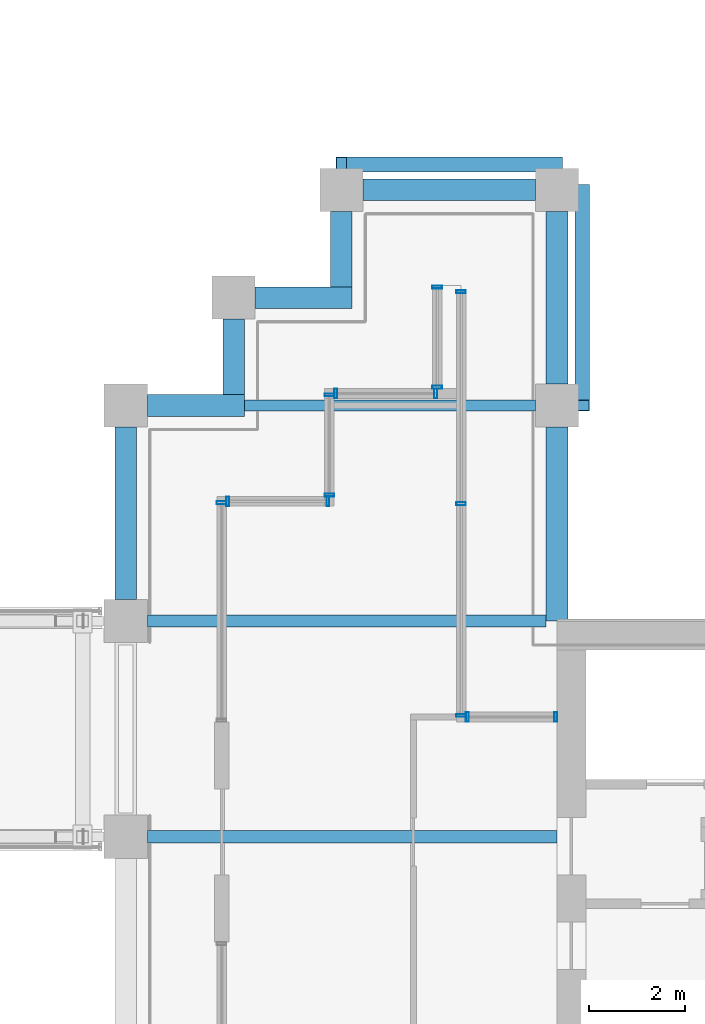
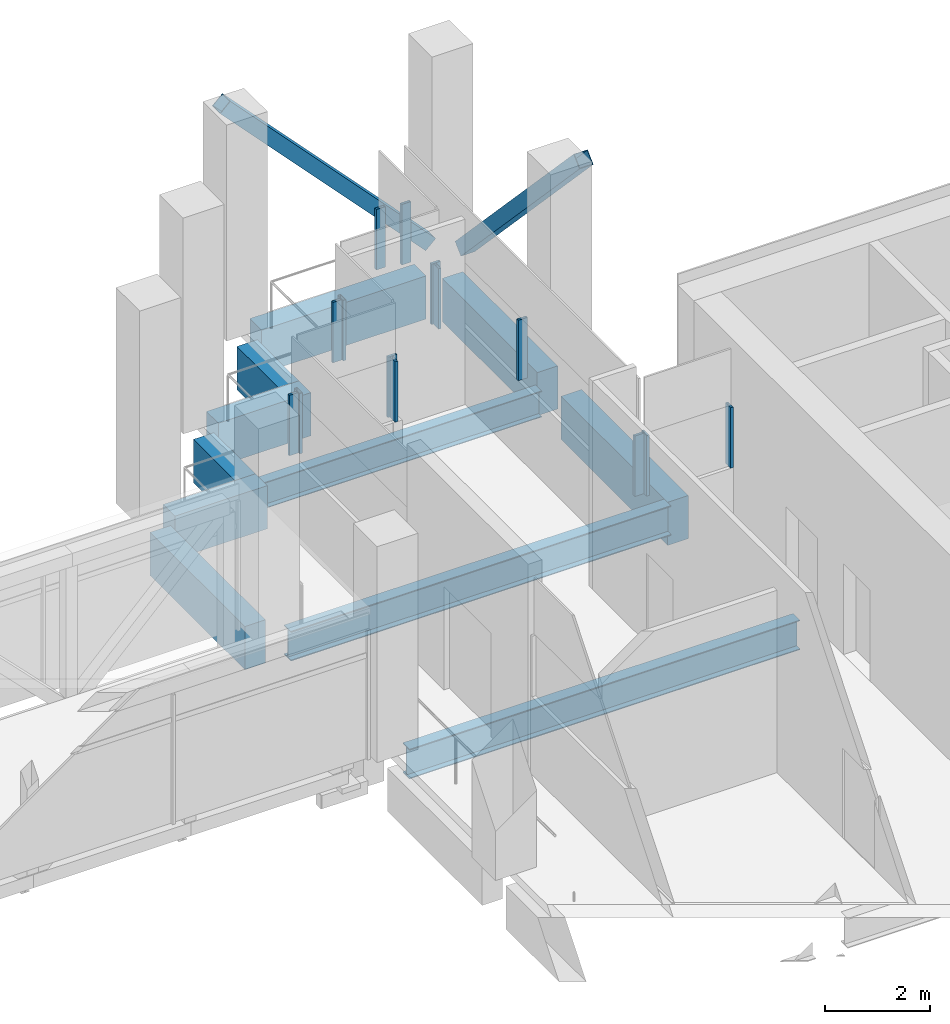
# One storey, part 25 of 34: 16 members, 11 beams, 7 elements without a shape of their own.
"""IFC4 building model written with IfcOpenShell, lengths in metres."""

from ifc_helpers import new_model, si_unit, direction, frame, origin, origin_2d, place, context, subcontext, project, spatial, rectangle, hollow_rectangle, i_section, extrude, material, material_profile, profile_set, type_object, element, aggregate, save


model = new_model("IFC4")

# Units and contexts
model_context = context("Model", 3, precision=1e-05, world=origin(), true_north=direction((0.0, 1.0)))
body_context = subcontext(model_context, "Body", "Model", "MODEL_VIEW")
ifc_project = project(units=[si_unit("LENGTHUNIT", "METRE"), si_unit("AREAUNIT", "SQUARE_METRE"), si_unit("VOLUMEUNIT", "CUBIC_METRE"), si_unit("PLANEANGLEUNIT", "RADIAN"), si_unit("MASSUNIT", "GRAM", prefix="KILO")], contexts=[model_context])

# Site, building, storey
site_placement = place(None, origin())
site = spatial("IfcSite", under=ifc_project, at=site_placement, CompositionType="ELEMENT")
building_placement = place(site_placement, origin())
building = spatial("IfcBuilding", under=site, at=building_placement, Name="Altepetl Exchange Towers", CompositionType="ELEMENT")
storey_placement = place(building_placement, frame((0.0, 0.0, 190.60009765625)))
storey = spatial("IfcBuildingStorey", under=building, at=storey_placement, Name="L48 Refuge", CompositionType="ELEMENT", Elevation=190.60009765625)

# Members
ifc_material_1 = material(Name="Steel S355", Category="steel")
ifc_material_profile_1 = material_profile(ifc_material_1, hollow_rectangle(XDim=0.304931640625, YDim=0.304931640625, WallThickness=0.01171875, at=origin_2d()), Name="HSS305X305X12.7")
ifc_profile_set_1 = profile_set([ifc_material_profile_1], Name="Steel S355")
member_type_1 = type_object("IfcMemberType", Name="Belt diagonal HSS305X305X12.7", PredefinedType="BRACE", material=ifc_profile_set_1)
for number, where, z_axis, x_axis, name in (
    (1, (104.030029296875, 54.0, 4.75), (0.0, 0.687744647911, -0.725952683906), (-1.0, 0.0, 0.0), "brc:B:L48:003"),
    (2, (103.5, 59.030029296875, 0.0), (-0.687744647911, 0.0, 0.725952683906), (0.0, -1.0, 0.0), "brc:B:L48:004"),
):
    element("IfcMember", number, at=place(storey_placement, frame(where, z_axis=z_axis, x_axis=x_axis)), inside=storey, type_object=member_type_1, Name=name, PredefinedType="BRACE", context=body_context, shape_type="SweptSolid", body=[
        extrude(hollow_rectangle(XDim=0.304931640625, YDim=0.304931640625, WallThickness=0.01171875, at=origin_2d()), origin(), (0.0, 0.0, 1.0), 6.543212890625),
    ])

# Beams
ifc_material_profile_2 = material_profile(ifc_material_1, i_section(OverallWidth=0.22802734375, OverallDepth=0.60791015625, WebThickness=0.01123046875, FlangeThickness=0.017333984375, at=origin_2d()), Name="W24X76")
ifc_profile_set_2 = profile_set([ifc_material_profile_2], Name="Steel S355")
beam_type_1 = type_object("IfcBeamType", Name="Floor beam W24X76", PredefinedType="BEAM", material=ifc_profile_set_2)
beam_1_placement = place(storey_placement, frame((96.97509765625, 54.0, -0.504150390625), z_axis=(1.0, 0.0, 0.0), x_axis=(0.0, 1.0, 0.0)))
element("IfcBeam", 3, at=beam_1_placement, inside=storey, type_object=beam_type_1, Name="bm:B:L48:007", PredefinedType="BEAM", context=body_context, shape_type="SweptSolid", body=[
    extrude(i_section(OverallWidth=0.22802734375, OverallDepth=0.60791015625, WebThickness=0.01123046875, FlangeThickness=0.017333984375, at=origin_2d()), origin(), (0.0, 0.0, 1.0), 6.074951171875),
])
ifc_material_profile_3 = material_profile(ifc_material_1, i_section(OverallWidth=0.25390625, OverallDepth=0.68798828125, WebThickness=0.01318359375, FlangeThickness=0.02099609375, at=origin_2d()), Name="W27X102")
ifc_profile_set_3 = profile_set([ifc_material_profile_3], Name="Steel S355")
beam_type_2 = type_object("IfcBeamType", Name="Floor beam W27X102", PredefinedType="BEAM", material=ifc_profile_set_3)
beam_2_placement = place(storey_placement, frame((94.949951171875, 45.0, -0.544189453125), z_axis=(1.0, 0.0, 0.0), x_axis=(0.0, 1.0, 0.0)))
element("IfcBeam", 4, at=beam_2_placement, inside=storey, type_object=beam_type_2, Name="bm:B:L48:005", PredefinedType="BEAM", context=body_context, shape_type="SweptSolid", body=[
    extrude(i_section(OverallWidth=0.25390625, OverallDepth=0.68798828125, WebThickness=0.01318359375, FlangeThickness=0.02099609375, at=origin_2d()), origin(), (0.0, 0.0, 1.0), 8.550048828125),
])
beam_3_placement = place(storey_placement, frame((94.949951171875, 49.5, -0.544189453125), z_axis=(1.0, 0.0, 0.0), x_axis=(0.0, 1.0, 0.0)))
element("IfcBeam", 5, at=beam_3_placement, inside=storey, type_object=beam_type_2, Name="bm:B:L48:006", PredefinedType="BEAM", context=body_context, shape_type="SweptSolid", body=[
    extrude(i_section(OverallWidth=0.25390625, OverallDepth=0.68798828125, WebThickness=0.01318359375, FlangeThickness=0.02099609375, at=origin_2d()), origin(), (0.0, 0.0, 1.0), 8.324951171875),
])

# Curtain wall, members
ifc_material_2 = material(Name="Aluminium 6063-T6 glazing", Category="aluminium")
curtain_wall_type = type_object("IfcCurtainWallType", Name="Refuge slit glazing system", PredefinedType="NOTDEFINED", material=ifc_material_2)
curtain_wall_1_placement = place(storey_placement, origin())
curtain_wall_1 = element("IfcCurtainWall", 6, at=curtain_wall_1_placement, inside=storey, type_object=curtain_wall_type, Name="CW3 run", PredefinedType="NOTDEFINED")
ifc_material_3 = material(Name="Aluminium 6063-T6", Category="aluminium")
ifc_material_profile_4 = material_profile(ifc_material_3, hollow_rectangle(XDim=0.06005859375, YDim=0.199951171875, WallThickness=0.0029296875, at=origin_2d()), Name="Mullion 60x200 aluminium")
ifc_profile_set_4 = profile_set([ifc_material_profile_4], Name="Aluminium 6063-T6")
member_type_2 = type_object("IfcMemberType", Name="Mullion 60x200 aluminium", PredefinedType="MULLION", material=ifc_profile_set_4)
member_1_placement = place(storey_placement, frame((103.469970703125, 47.5, 1.7998046875), z_axis=(0.0, 0.0, 1.0), x_axis=(-1.0, 0.0, 0.0)))
member_1 = element("IfcMember", 7, at=member_1_placement, type_object=member_type_2, Name="MU2 mullion", PredefinedType="MULLION", context=body_context, shape_type="SweptSolid", body=[
    extrude(hollow_rectangle(XDim=0.06005859375, YDim=0.199951171875, WallThickness=0.0029296875, at=origin_2d()), origin(), (0.0, 0.0, 1.0), 1.400146484375),
])
member_2_placement = place(storey_placement, frame((101.6298828125, 47.5, 1.7998046875), z_axis=(0.0, 0.0, 1.0), x_axis=(-1.0, 0.0, 0.0)))
member_2 = element("IfcMember", 8, at=member_2_placement, type_object=member_type_2, Name="MU2 mullion", PredefinedType="MULLION", context=body_context, shape_type="SweptSolid", body=[
    extrude(hollow_rectangle(XDim=0.06005859375, YDim=0.199951171875, WallThickness=0.0029296875, at=origin_2d()), origin(), (0.0, 0.0, 1.0), 1.400146484375),
])
aggregate(curtain_wall_1, [member_1, member_2])

curtain_wall_2_placement = place(storey_placement, origin())
curtain_wall_2 = element("IfcCurtainWall", 9, at=curtain_wall_2_placement, inside=storey, type_object=curtain_wall_type, Name="CW3 run", PredefinedType="NOTDEFINED")
member_3_placement = place(storey_placement, frame((101.5, 47.530029296875, 1.7998046875), z_axis=(0.0, 0.0, 1.0), x_axis=(0.0, 1.0, 0.0)))
member_3 = element("IfcMember", 10, at=member_3_placement, type_object=member_type_2, Name="MU2 mullion", PredefinedType="MULLION", context=body_context, shape_type="SweptSolid", body=[
    extrude(hollow_rectangle(XDim=0.06005859375, YDim=0.199951171875, WallThickness=0.0029296875, at=origin_2d()), origin(), (0.0, 0.0, 1.0), 1.400146484375),
])
member_4_placement = place(storey_placement, frame((101.5, 51.949951171875, 1.7998046875), z_axis=(0.0, 0.0, 1.0), x_axis=(0.0, 1.0, 0.0)))
member_4 = element("IfcMember", 11, at=member_4_placement, type_object=member_type_2, Name="MU2 mullion", PredefinedType="MULLION", context=body_context, shape_type="SweptSolid", body=[
    extrude(hollow_rectangle(XDim=0.06005859375, YDim=0.199951171875, WallThickness=0.0029296875, at=origin_2d()), origin(), (0.0, 0.0, 1.0), 1.400146484375),
])
member_5_placement = place(storey_placement, frame((101.5, 56.3701171875, 1.7998046875), z_axis=(0.0, 0.0, 1.0), x_axis=(0.0, 1.0, 0.0)))
member_5 = element("IfcMember", 12, at=member_5_placement, type_object=member_type_2, Name="MU2 mullion", PredefinedType="MULLION", context=body_context, shape_type="SweptSolid", body=[
    extrude(hollow_rectangle(XDim=0.06005859375, YDim=0.199951171875, WallThickness=0.0029296875, at=origin_2d()), origin(), (0.0, 0.0, 1.0), 1.400146484375),
])
aggregate(curtain_wall_2, [member_3, member_4, member_5])

curtain_wall_3_placement = place(storey_placement, origin())
curtain_wall_3 = element("IfcCurtainWall", 13, at=curtain_wall_3_placement, inside=storey, type_object=curtain_wall_type, Name="CW3 run", PredefinedType="NOTDEFINED")
member_6_placement = place(storey_placement, frame((101.0, 56.469970703125, 1.7998046875), z_axis=(0.0, 0.0, 1.0), x_axis=(0.0, -1.0, 0.0)))
member_6 = element("IfcMember", 14, at=member_6_placement, type_object=member_type_2, Name="MU2 mullion", PredefinedType="MULLION", context=body_context, shape_type="SweptSolid", body=[
    extrude(hollow_rectangle(XDim=0.06005859375, YDim=0.199951171875, WallThickness=0.0029296875, at=origin_2d()), origin(), (0.0, 0.0, 1.0), 1.400146484375),
])
member_7_placement = place(storey_placement, frame((101.0, 54.3798828125, 1.7998046875), z_axis=(0.0, 0.0, 1.0), x_axis=(0.0, -1.0, 0.0)))
member_7 = element("IfcMember", 15, at=member_7_placement, type_object=member_type_2, Name="MU2 mullion", PredefinedType="MULLION", context=body_context, shape_type="SweptSolid", body=[
    extrude(hollow_rectangle(XDim=0.06005859375, YDim=0.199951171875, WallThickness=0.0029296875, at=origin_2d()), origin(), (0.0, 0.0, 1.0), 1.400146484375),
])
aggregate(curtain_wall_3, [member_6, member_7])

curtain_wall_4_placement = place(storey_placement, origin())
curtain_wall_4 = element("IfcCurtainWall", 16, at=curtain_wall_4_placement, inside=storey, type_object=curtain_wall_type, Name="CW3 run", PredefinedType="NOTDEFINED")
member_8_placement = place(storey_placement, frame((100.969970703125, 54.25, 1.7998046875), z_axis=(0.0, 0.0, 1.0), x_axis=(-1.0, 0.0, 0.0)))
member_8 = element("IfcMember", 17, at=member_8_placement, type_object=member_type_2, Name="MU2 mullion", PredefinedType="MULLION", context=body_context, shape_type="SweptSolid", body=[
    extrude(hollow_rectangle(XDim=0.06005859375, YDim=0.199951171875, WallThickness=0.0029296875, at=origin_2d()), origin(), (0.0, 0.0, 1.0), 1.400146484375),
])
member_9_placement = place(storey_placement, frame((98.8798828125, 54.25, 1.7998046875), z_axis=(0.0, 0.0, 1.0), x_axis=(-1.0, 0.0, 0.0)))
member_9 = element("IfcMember", 18, at=member_9_placement, type_object=member_type_2, Name="MU2 mullion", PredefinedType="MULLION", context=body_context, shape_type="SweptSolid", body=[
    extrude(hollow_rectangle(XDim=0.06005859375, YDim=0.199951171875, WallThickness=0.0029296875, at=origin_2d()), origin(), (0.0, 0.0, 1.0), 1.400146484375),
])
aggregate(curtain_wall_4, [member_8, member_9])

curtain_wall_5_placement = place(storey_placement, origin())
curtain_wall_5 = element("IfcCurtainWall", 19, at=curtain_wall_5_placement, inside=storey, type_object=curtain_wall_type, Name="CW3 run", PredefinedType="NOTDEFINED")
member_10_placement = place(storey_placement, frame((98.75, 54.219970703125, 1.7998046875), z_axis=(0.0, 0.0, 1.0), x_axis=(0.0, -1.0, 0.0)))
member_10 = element("IfcMember", 20, at=member_10_placement, type_object=member_type_2, Name="MU2 mullion", PredefinedType="MULLION", context=body_context, shape_type="SweptSolid", body=[
    extrude(hollow_rectangle(XDim=0.06005859375, YDim=0.199951171875, WallThickness=0.0029296875, at=origin_2d()), origin(), (0.0, 0.0, 1.0), 1.400146484375),
])
member_11_placement = place(storey_placement, frame((98.75, 52.1298828125, 1.7998046875), z_axis=(0.0, 0.0, 1.0), x_axis=(0.0, -1.0, 0.0)))
member_11 = element("IfcMember", 21, at=member_11_placement, type_object=member_type_2, Name="MU2 mullion", PredefinedType="MULLION", context=body_context, shape_type="SweptSolid", body=[
    extrude(hollow_rectangle(XDim=0.06005859375, YDim=0.199951171875, WallThickness=0.0029296875, at=origin_2d()), origin(), (0.0, 0.0, 1.0), 1.400146484375),
])
aggregate(curtain_wall_5, [member_10, member_11])

curtain_wall_6_placement = place(storey_placement, origin())
curtain_wall_6 = element("IfcCurtainWall", 22, at=curtain_wall_6_placement, inside=storey, type_object=curtain_wall_type, Name="CW3 run", PredefinedType="NOTDEFINED")
member_12_placement = place(storey_placement, frame((98.719970703125, 52.0, 1.7998046875), z_axis=(0.0, 0.0, 1.0), x_axis=(-1.0, 0.0, 0.0)))
member_12 = element("IfcMember", 23, at=member_12_placement, type_object=member_type_2, Name="MU2 mullion", PredefinedType="MULLION", context=body_context, shape_type="SweptSolid", body=[
    extrude(hollow_rectangle(XDim=0.06005859375, YDim=0.199951171875, WallThickness=0.0029296875, at=origin_2d()), origin(), (0.0, 0.0, 1.0), 1.400146484375),
])
member_13_placement = place(storey_placement, frame((96.6298828125, 52.0, 1.7998046875), z_axis=(0.0, 0.0, 1.0), x_axis=(-1.0, 0.0, 0.0)))
member_13 = element("IfcMember", 24, at=member_13_placement, type_object=member_type_2, Name="MU2 mullion", PredefinedType="MULLION", context=body_context, shape_type="SweptSolid", body=[
    extrude(hollow_rectangle(XDim=0.06005859375, YDim=0.199951171875, WallThickness=0.0029296875, at=origin_2d()), origin(), (0.0, 0.0, 1.0), 1.400146484375),
])
aggregate(curtain_wall_6, [member_12, member_13])

# Curtain wall, member
curtain_wall_7_placement = place(storey_placement, origin())
curtain_wall_7 = element("IfcCurtainWall", 25, at=curtain_wall_7_placement, inside=storey, type_object=curtain_wall_type, Name="CW3 run", PredefinedType="NOTDEFINED")
member_14_placement = place(storey_placement, frame((96.5, 51.969970703125, 1.7998046875), z_axis=(0.0, 0.0, 1.0), x_axis=(0.0, -1.0, 0.0)))
member_14 = element("IfcMember", 26, at=member_14_placement, type_object=member_type_2, Name="MU2 mullion", PredefinedType="MULLION", context=body_context, shape_type="SweptSolid", body=[
    extrude(hollow_rectangle(XDim=0.06005859375, YDim=0.199951171875, WallThickness=0.0029296875, at=origin_2d()), origin(), (0.0, 0.0, 1.0), 1.400146484375),
])
aggregate(curtain_wall_7, [member_14])

# Beams
ifc_material_4 = material(Name="Concrete C50/60 precast with cantera rosa facing", Category="concrete")
ifc_material_profile_5 = material_profile(ifc_material_4, rectangle(XDim=0.449951171875, YDim=1.0, at=origin_2d()), Name="450 x 1000")
ifc_profile_set_5 = profile_set([ifc_material_profile_5], Name="Concrete C50/60 precast with cantera rosa facing")
beam_type_3 = type_object("IfcBeamType", Name="Spandrel beam 450x1000 cantera rosa", PredefinedType="SPANDREL", material=ifc_profile_set_5)
beam_4_placement = place(storey_placement, frame((103.5, 49.5, -0.7001953125), z_axis=(0.0, 1.0, 0.0), x_axis=(-1.0, 0.0, 0.0)))
element("IfcBeam", 27, at=beam_4_placement, inside=storey, type_object=beam_type_3, Name="sp:B:L48:008", PredefinedType="SPANDREL", context=body_context, shape_type="SweptSolid", body=[
    extrude(rectangle(XDim=0.449951171875, YDim=1.0, at=origin_2d()), origin(), (0.0, 0.0, 1.0), 4.050048828125),
])
for number, where, z_axis, x_axis, name in (
    (28, (103.5, 54.449951171875, -0.7001953125), (0.0, 1.0, 0.0), (-1.0, 0.0, 0.0), "sp:B:L48:009"),
    (29, (103.050048828125, 58.5, -0.7001953125), (-1.0, 0.0, 0.0), (0.0, -1.0, 0.0), "sp:B:L48:010"),
):
    element("IfcBeam", number, at=place(storey_placement, frame(where, z_axis=z_axis, x_axis=x_axis)), inside=storey, type_object=beam_type_3, Name=name, PredefinedType="SPANDREL", context=body_context, shape_type="SweptSolid", body=[
        extrude(rectangle(XDim=0.449951171875, YDim=1.0, at=origin_2d()), origin(), (0.0, 0.0, 1.0), 3.60009765625),
    ])
beam_5_placement = place(storey_placement, frame((99.0, 58.050048828125, -0.7001953125), z_axis=(0.0, -1.0, 0.0), x_axis=(1.0, 0.0, 0.0)))
element("IfcBeam", 30, at=beam_5_placement, inside=storey, type_object=beam_type_3, Name="sp:B:L48:011", PredefinedType="SPANDREL", context=body_context, shape_type="SweptSolid", body=[
    extrude(rectangle(XDim=0.449951171875, YDim=1.0, at=origin_2d()), origin(), (0.0, 0.0, 1.0), 1.574951171875),
])
beam_6_placement = place(storey_placement, frame((99.22509765625, 56.25, -0.7001953125), z_axis=(-1.0, 0.0, 0.0), x_axis=(0.0, -1.0, 0.0)))
element("IfcBeam", 31, at=beam_6_placement, inside=storey, type_object=beam_type_3, Name="sp:B:L48:012", PredefinedType="SPANDREL", context=body_context, shape_type="SweptSolid", body=[
    extrude(rectangle(XDim=0.449951171875, YDim=1.0, at=origin_2d()), origin(), (0.0, 0.0, 1.0), 2.025146484375),
])
beam_7_placement = place(storey_placement, frame((96.75, 55.800048828125, -0.7001953125), z_axis=(0.0, -1.0, 0.0), x_axis=(1.0, 0.0, 0.0)))
element("IfcBeam", 32, at=beam_7_placement, inside=storey, type_object=beam_type_3, Name="sp:B:L48:013", PredefinedType="SPANDREL", context=body_context, shape_type="SweptSolid", body=[
    extrude(rectangle(XDim=0.449951171875, YDim=1.0, at=origin_2d()), origin(), (0.0, 0.0, 1.0), 1.574951171875),
])
beam_8_placement = place(storey_placement, frame((96.97509765625, 54.0, -0.7001953125), z_axis=(-1.0, 0.0, 0.0), x_axis=(0.0, -1.0, 0.0)))
element("IfcBeam", 33, at=beam_8_placement, inside=storey, type_object=beam_type_3, Name="sp:B:L48:014", PredefinedType="SPANDREL", context=body_context, shape_type="SweptSolid", body=[
    extrude(rectangle(XDim=0.449951171875, YDim=1.0, at=origin_2d()), origin(), (0.0, 0.0, 1.0), 2.025146484375),
])
beam_9_placement = place(storey_placement, frame((94.5, 53.550048828125, -0.7001953125), z_axis=(0.0, -1.0, 0.0), x_axis=(1.0, 0.0, 0.0)))
element("IfcBeam", 34, at=beam_9_placement, inside=storey, type_object=beam_type_3, Name="sp:B:L48:015", PredefinedType="SPANDREL", context=body_context, shape_type="SweptSolid", body=[
    extrude(rectangle(XDim=0.449951171875, YDim=1.0, at=origin_2d()), origin(), (0.0, 0.0, 1.0), 3.60009765625),
])

save(model, "model.ifc")
